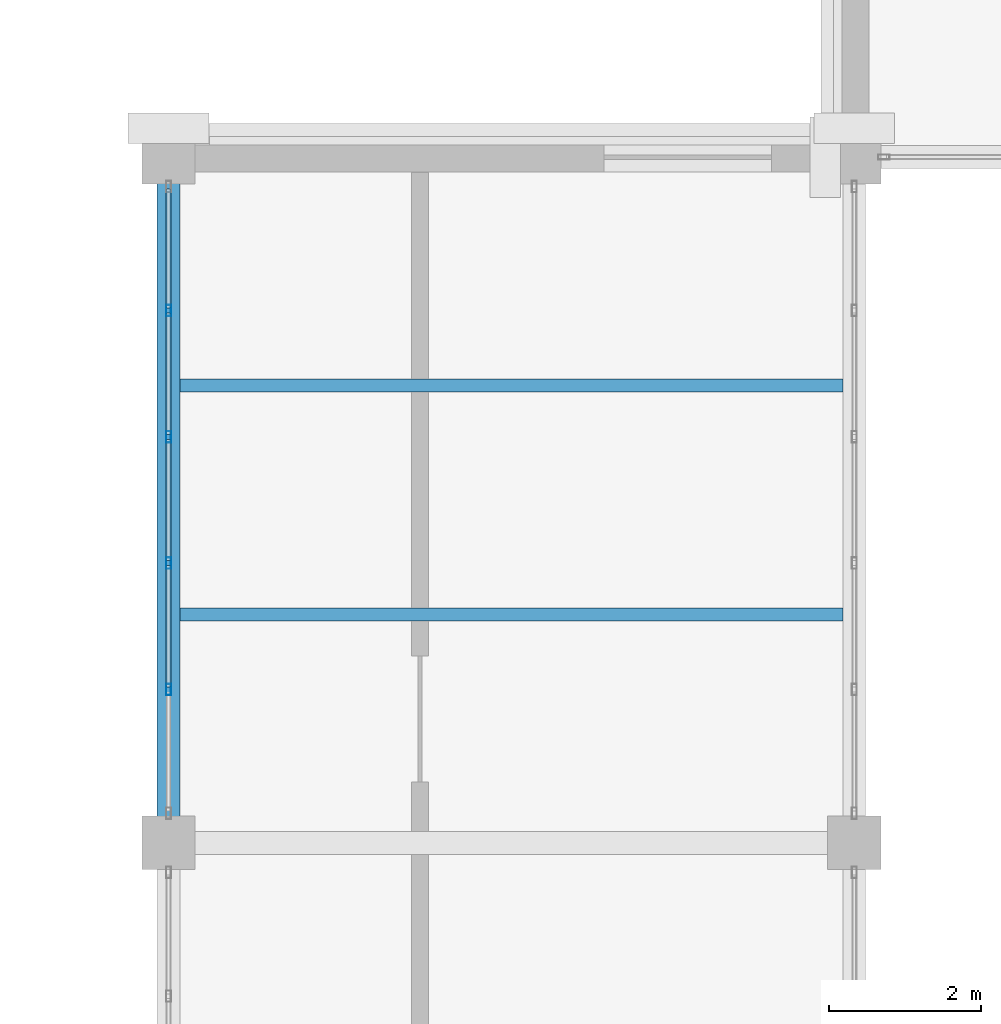
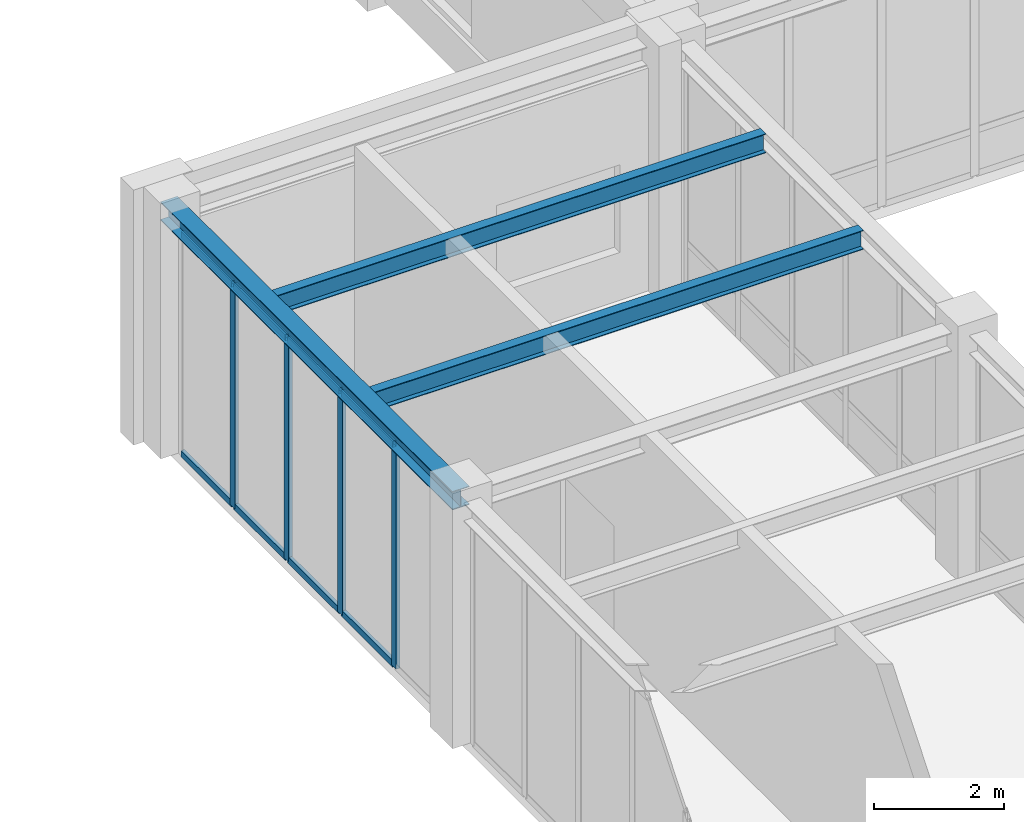
# One storey, part 57 of 92: 12 members, 3 beams, 1 element without a shape of its own.
"""IFC4 building model written with IfcOpenShell, lengths in metres."""

from ifc_helpers import new_model, si_unit, direction, frame, origin, origin_2d, place, context, subcontext, project, spatial, hollow_rectangle, i_section, extrude, material, material_profile, profile_set, type_object, element, aggregate, save


model = new_model("IFC4")

# Units and contexts
model_context = context("Model", 3, precision=1e-05, world=origin(), true_north=direction((0.0, 1.0)))
body_context = subcontext(model_context, "Body", "Model", "MODEL_VIEW")
ifc_project = project(units=[si_unit("LENGTHUNIT", "METRE"), si_unit("AREAUNIT", "SQUARE_METRE"), si_unit("VOLUMEUNIT", "CUBIC_METRE"), si_unit("PLANEANGLEUNIT", "RADIAN"), si_unit("MASSUNIT", "GRAM", prefix="KILO")], contexts=[model_context])

# Site, building, storey
site_placement = place(None, origin())
site = spatial("IfcSite", under=ifc_project, at=site_placement, CompositionType="ELEMENT")
building_placement = place(site_placement, origin())
building = spatial("IfcBuilding", under=site, at=building_placement, Name="Lykobir Media Centre", CompositionType="ELEMENT")
storey_placement = place(building_placement, frame((0.0, 0.0, 5.39990234375)))
storey = spatial("IfcBuildingStorey", under=building, at=storey_placement, Name="L01", CompositionType="ELEMENT", Elevation=5.39990234375)

# Curtain wall, members
ifc_material_1 = material(Name="Anodized Aluminium AW-6060", Category="aluminium")
curtain_wall_type = type_object("IfcCurtainWallType", Name="CW-BRIDGE", PredefinedType="NOTDEFINED", material=ifc_material_1)
curtain_wall_placement = place(storey_placement, origin())
curtain_wall = element("IfcCurtainWall", 1, at=curtain_wall_placement, inside=storey, type_object=curtain_wall_type, Name="Curtain wall CW2-L01-0042", PredefinedType="NOTDEFINED")
ifc_material_profile_1 = material_profile(ifc_material_1, hollow_rectangle(XDim=0.06494140625, YDim=0.14990234375, WallThickness=0.00341796875, at=origin_2d()), Name="ALU MULLION 65x150")
ifc_profile_set_1 = profile_set([ifc_material_profile_1], Name="Anodized Aluminium AW-6060")
member_type_1 = type_object("IfcMemberType", Name="CWM-150", PredefinedType="MULLION", material=ifc_profile_set_1)
member_1_placement = place(storey_placement, frame((90.0, 65.012939453125, 0.0), z_axis=(0.0, 0.0, 1.0), x_axis=(-1.0, 0.0, 0.0)))
member_1 = element("IfcMember", 2, at=member_1_placement, type_object=member_type_1, Name="CW2-L01-0042 mullion 2", PredefinedType="MULLION", context=body_context, shape_type="SweptSolid", body=[
    extrude(hollow_rectangle(XDim=0.06494140625, YDim=0.14990234375, WallThickness=0.00341796875, at=origin_2d()), origin(), (0.0, 0.0, 1.0), 4.195068359375),
])
member_2_placement = place(storey_placement, frame((90.0, 66.6708984375, 0.0), z_axis=(0.0, 0.0, 1.0), x_axis=(-1.0, 0.0, 0.0)))
member_2 = element("IfcMember", 3, at=member_2_placement, type_object=member_type_1, Name="CW2-L01-0042 mullion 3", PredefinedType="MULLION", context=body_context, shape_type="SweptSolid", body=[
    extrude(hollow_rectangle(XDim=0.06494140625, YDim=0.14990234375, WallThickness=0.00341796875, at=origin_2d()), origin(), (0.0, 0.0, 1.0), 4.195068359375),
])
member_3_placement = place(storey_placement, frame((90.0, 68.3291015625, 0.0), z_axis=(0.0, 0.0, 1.0), x_axis=(-1.0, 0.0, 0.0)))
member_3 = element("IfcMember", 4, at=member_3_placement, type_object=member_type_1, Name="CW2-L01-0042 mullion 4", PredefinedType="MULLION", context=body_context, shape_type="SweptSolid", body=[
    extrude(hollow_rectangle(XDim=0.06494140625, YDim=0.14990234375, WallThickness=0.00341796875, at=origin_2d()), origin(), (0.0, 0.0, 1.0), 4.195068359375),
])
member_4_placement = place(storey_placement, frame((90.0, 69.987060546875, 0.0), z_axis=(0.0, 0.0, 1.0), x_axis=(-1.0, 0.0, 0.0)))
member_4 = element("IfcMember", 5, at=member_4_placement, type_object=member_type_1, Name="CW2-L01-0042 mullion 5", PredefinedType="MULLION", context=body_context, shape_type="SweptSolid", body=[
    extrude(hollow_rectangle(XDim=0.06494140625, YDim=0.14990234375, WallThickness=0.00341796875, at=origin_2d()), origin(), (0.0, 0.0, 1.0), 4.195068359375),
])
ifc_material_profile_2 = material_profile(ifc_material_1, hollow_rectangle(XDim=0.06494140625, YDim=0.1201171875, WallThickness=0.0029296875, at=origin_2d()), Name="ALU TRANSOM 65x120")
ifc_profile_set_2 = profile_set([ifc_material_profile_2], Name="Anodized Aluminium AW-6060")
member_type_2 = type_object("IfcMemberType", Name="CWT-120", PredefinedType="USERDEFINED", material=ifc_profile_set_2)
member_5_placement = place(storey_placement, frame((90.0, 65.04541015625, 0.03271484375), z_axis=(0.0, 1.0, 0.0), x_axis=(-1.0, 0.0, 0.0)))
member_5 = element("IfcMember", 6, at=member_5_placement, type_object=member_type_2, Name="CW2-L01-0042 transom 2.1", ObjectType="TRANSOM", PredefinedType="USERDEFINED", context=body_context, shape_type="SweptSolid", body=[
    extrude(hollow_rectangle(XDim=0.06494140625, YDim=0.1201171875, WallThickness=0.0029296875, at=origin_2d()), origin(), (0.0, 0.0, 1.0), 1.593017578125),
])
member_6_placement = place(storey_placement, frame((90.0, 65.04541015625, 4.16259765625), z_axis=(0.0, 1.0, 0.0), x_axis=(-1.0, 0.0, 0.0)))
member_6 = element("IfcMember", 7, at=member_6_placement, type_object=member_type_2, Name="CW2-L01-0042 transom 2.2", ObjectType="TRANSOM", PredefinedType="USERDEFINED", context=body_context, shape_type="SweptSolid", body=[
    extrude(hollow_rectangle(XDim=0.06494140625, YDim=0.1201171875, WallThickness=0.0029296875, at=origin_2d()), origin(), (0.0, 0.0, 1.0), 1.593017578125),
])
member_7_placement = place(storey_placement, frame((90.0, 66.70361328125, 0.03271484375), z_axis=(0.0, 1.0, 0.0), x_axis=(-1.0, 0.0, 0.0)))
member_7 = element("IfcMember", 8, at=member_7_placement, type_object=member_type_2, Name="CW2-L01-0042 transom 3.1", ObjectType="TRANSOM", PredefinedType="USERDEFINED", context=body_context, shape_type="SweptSolid", body=[
    extrude(hollow_rectangle(XDim=0.06494140625, YDim=0.1201171875, WallThickness=0.0029296875, at=origin_2d()), origin(), (0.0, 0.0, 1.0), 1.5927734375),
])
member_8_placement = place(storey_placement, frame((90.0, 66.70361328125, 4.16259765625), z_axis=(0.0, 1.0, 0.0), x_axis=(-1.0, 0.0, 0.0)))
member_8 = element("IfcMember", 9, at=member_8_placement, type_object=member_type_2, Name="CW2-L01-0042 transom 3.2", ObjectType="TRANSOM", PredefinedType="USERDEFINED", context=body_context, shape_type="SweptSolid", body=[
    extrude(hollow_rectangle(XDim=0.06494140625, YDim=0.1201171875, WallThickness=0.0029296875, at=origin_2d()), origin(), (0.0, 0.0, 1.0), 1.5927734375),
])
member_9_placement = place(storey_placement, frame((90.0, 68.361572265625, 0.03271484375), z_axis=(0.0, 1.0, 0.0), x_axis=(-1.0, 0.0, 0.0)))
member_9 = element("IfcMember", 10, at=member_9_placement, type_object=member_type_2, Name="CW2-L01-0042 transom 4.1", ObjectType="TRANSOM", PredefinedType="USERDEFINED", context=body_context, shape_type="SweptSolid", body=[
    extrude(hollow_rectangle(XDim=0.06494140625, YDim=0.1201171875, WallThickness=0.0029296875, at=origin_2d()), origin(), (0.0, 0.0, 1.0), 1.593017578125),
])
member_10_placement = place(storey_placement, frame((90.0, 68.361572265625, 4.16259765625), z_axis=(0.0, 1.0, 0.0), x_axis=(-1.0, 0.0, 0.0)))
member_10 = element("IfcMember", 11, at=member_10_placement, type_object=member_type_2, Name="CW2-L01-0042 transom 4.2", ObjectType="TRANSOM", PredefinedType="USERDEFINED", context=body_context, shape_type="SweptSolid", body=[
    extrude(hollow_rectangle(XDim=0.06494140625, YDim=0.1201171875, WallThickness=0.0029296875, at=origin_2d()), origin(), (0.0, 0.0, 1.0), 1.593017578125),
])
member_11_placement = place(storey_placement, frame((90.0, 70.01953125, 0.03271484375), z_axis=(0.0, 1.0, 0.0), x_axis=(-1.0, 0.0, 0.0)))
member_11 = element("IfcMember", 12, at=member_11_placement, type_object=member_type_2, Name="CW2-L01-0042 transom 5.1", ObjectType="TRANSOM", PredefinedType="USERDEFINED", context=body_context, shape_type="SweptSolid", body=[
    extrude(hollow_rectangle(XDim=0.06494140625, YDim=0.1201171875, WallThickness=0.0029296875, at=origin_2d()), origin(), (0.0, 0.0, 1.0), 1.560546875),
])
member_12_placement = place(storey_placement, frame((90.0, 70.01953125, 4.16259765625), z_axis=(0.0, 1.0, 0.0), x_axis=(-1.0, 0.0, 0.0)))
member_12 = element("IfcMember", 13, at=member_12_placement, type_object=member_type_2, Name="CW2-L01-0042 transom 5.2", ObjectType="TRANSOM", PredefinedType="USERDEFINED", context=body_context, shape_type="SweptSolid", body=[
    extrude(hollow_rectangle(XDim=0.06494140625, YDim=0.1201171875, WallThickness=0.0029296875, at=origin_2d()), origin(), (0.0, 0.0, 1.0), 1.560546875),
])
aggregate(curtain_wall, [member_1, member_2, member_3, member_4, member_5, member_6, member_7, member_8, member_9, member_10, member_11, member_12])

# Beams
ifc_material_2 = material(Name="Steel S355", Category="steel")
ifc_material_profile_3 = material_profile(ifc_material_2, i_section(OverallWidth=0.169921875, OverallDepth=0.360107421875, WebThickness=0.008056640625, FlangeThickness=0.0126953125, at=origin_2d()), Name="IPE 360")
ifc_profile_set_3 = profile_set([ifc_material_profile_3], Name="Steel S355")
beam_type_1 = type_object("IfcBeamType", Name="JS-IPE360", PredefinedType="JOIST", material=ifc_profile_set_3)
for number, where, z_axis, x_axis, name in (
    (14, (90.14990234375, 66.0, 4.380126953125), (1.0, 0.0, 0.0), (0.0, 1.0, 0.0), "Beam BM-L01-0902-0660-0988-0660-978"),
    (15, (90.14990234375, 69.0, 4.380126953125), (1.0, 0.0, 0.0), (0.0, 1.0, 0.0), "Beam BM-L01-0902-0690-0988-0690-978"),
):
    element("IfcBeam", number, at=place(storey_placement, frame(where, z_axis=z_axis, x_axis=x_axis)), inside=storey, type_object=beam_type_1, Name=name, PredefinedType="JOIST", context=body_context, shape_type="SweptSolid", body=[
        extrude(i_section(OverallWidth=0.169921875, OverallDepth=0.360107421875, WebThickness=0.008056640625, FlangeThickness=0.0126953125, at=origin_2d()), origin(), (0.0, 0.0, 1.0), 8.7001953125),
    ])
ifc_material_profile_4 = material_profile(ifc_material_2, i_section(OverallWidth=0.300048828125, OverallDepth=0.35009765625, WebThickness=0.010009765625, FlangeThickness=0.017578125, at=origin_2d()), Name="HEA 360")
ifc_profile_set_4 = profile_set([ifc_material_profile_4], Name="Steel S355")
beam_type_2 = type_object("IfcBeamType", Name="SP-HEA360-E", PredefinedType="SPANDREL", material=ifc_profile_set_4)
beam_placement = place(storey_placement, frame((90.0, 63.0, 4.385009765625), z_axis=(0.0, 1.0, 0.0), x_axis=(-1.0, 0.0, 0.0)))
element("IfcBeam", 16, at=beam_placement, inside=storey, type_object=beam_type_2, Name="Beam BM-L01-0900-0630-0900-0720-978", PredefinedType="SPANDREL", context=body_context, shape_type="SweptSolid", body=[
    extrude(i_section(OverallWidth=0.300048828125, OverallDepth=0.35009765625, WebThickness=0.010009765625, FlangeThickness=0.017578125, at=origin_2d()), origin(), (0.0, 0.0, 1.0), 9.0),
])

save(model, "model.ifc")
